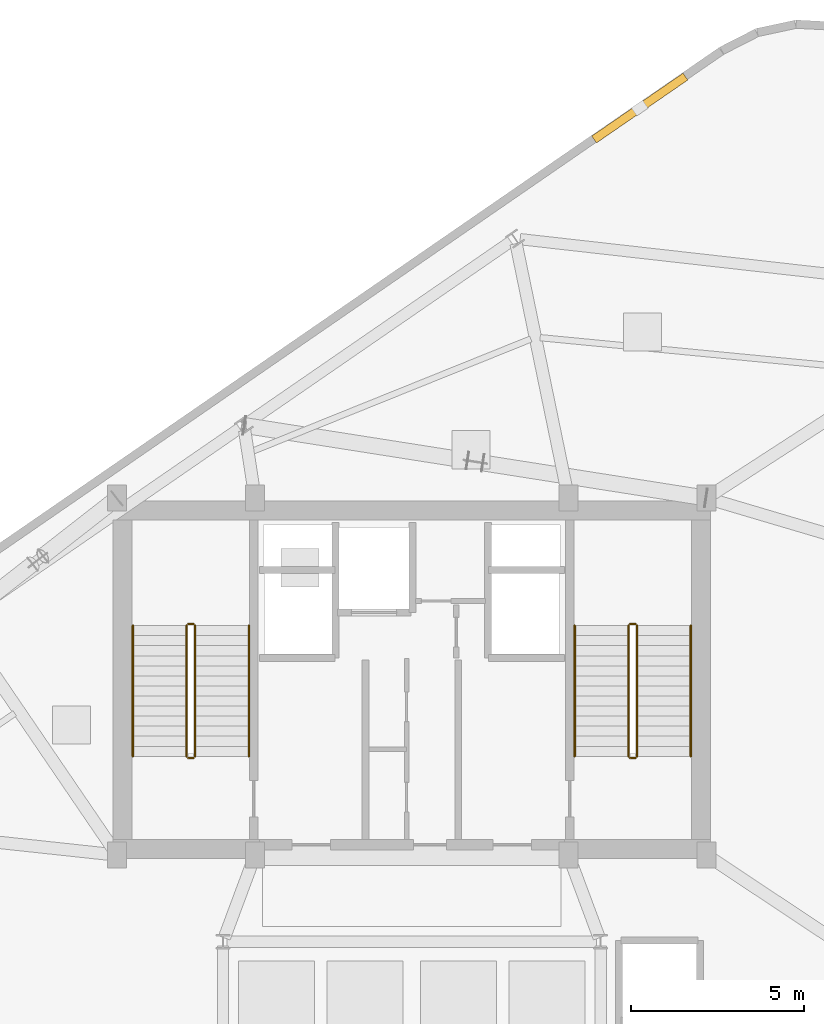
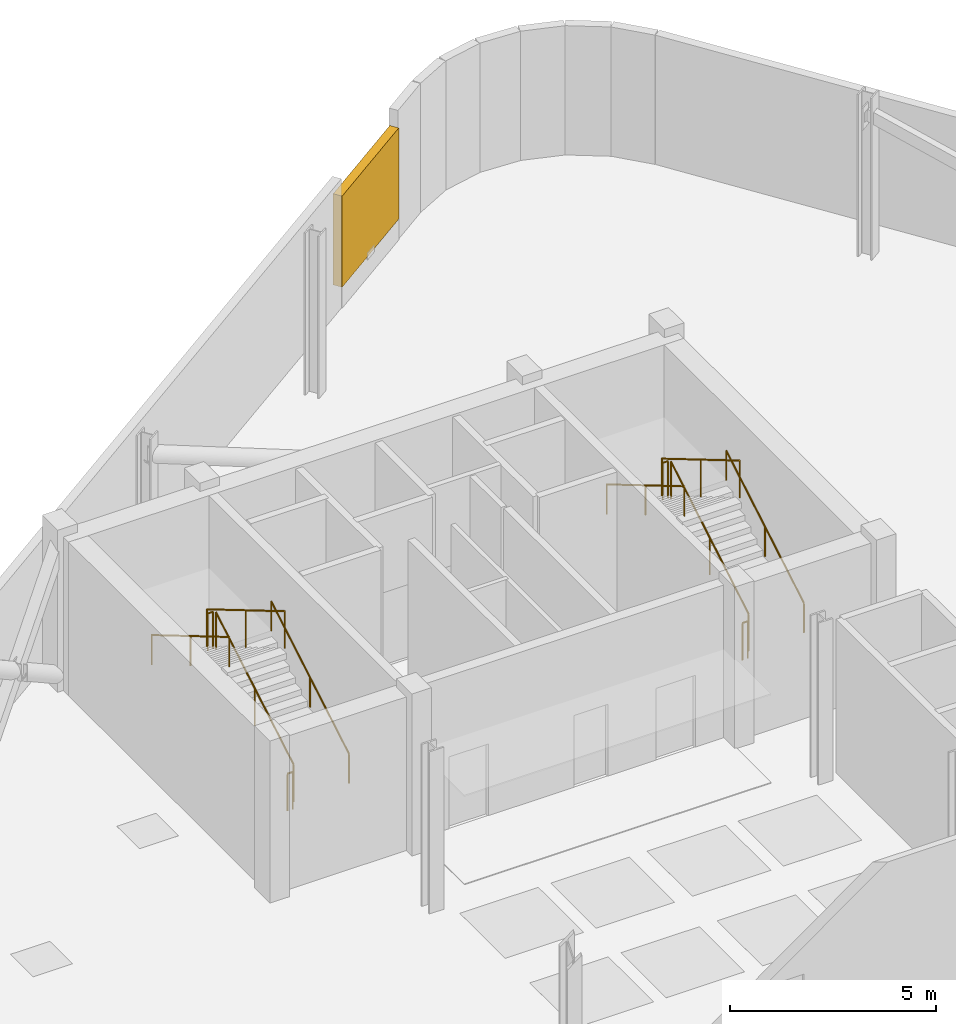
# One storey, part 9 of 9: 12 railings, 1 shading device.
"""IFC4 building model written with IfcOpenShell, lengths in metres."""

from ifc_helpers import new_model, si_unit, direction, frame, origin, origin_2d, place, context, subcontext, project, spatial, rectangle, circle, extrude, source, transform, mapped, material, type_object, element, save


model = new_model("IFC4")

# Units and contexts
model_context = context("Model", 3, precision=1e-05, world=origin(), true_north=direction((0.0, 1.0)))
body_context = subcontext(model_context, "Body", "Model", "MODEL_VIEW")
ifc_project = project(units=[si_unit("LENGTHUNIT", "METRE"), si_unit("AREAUNIT", "SQUARE_METRE"), si_unit("VOLUMEUNIT", "CUBIC_METRE"), si_unit("PLANEANGLEUNIT", "RADIAN"), si_unit("MASSUNIT", "GRAM", prefix="KILO")], contexts=[model_context])

# Site, building, storey
site_placement = place(None, origin())
site = spatial("IfcSite", under=ifc_project, at=site_placement, CompositionType="ELEMENT")
building_placement = place(site_placement, origin())
building = spatial("IfcBuilding", under=site, at=building_placement, Name="Varnelok Gate Tower", CompositionType="ELEMENT")
storey_placement = place(building_placement, frame((0.0, 0.0, 301.10009765625)))
storey = spatial("IfcBuildingStorey", under=building, at=storey_placement, Name="L77", CompositionType="ELEMENT", Elevation=301.10009765625)

# Railings
ifc_material_1 = material(Name="Brushed Stainless Steel AISI 316", Category="steel")
railing_type_1 = type_object("IfcRailingType", Name="RL-HANDRAIL-900", PredefinedType="HANDRAIL", material=ifc_material_1)
railing_1_placement = place(storey_placement, frame((34.5, 31.60009765625, 0.17138671875)))
element("IfcRailing", 1, at=railing_1_placement, inside=storey, type_object=railing_type_1, Name="L77 ST-1 stair handrail 1", PredefinedType="HANDRAIL", context=body_context, shape_type="SweptSolid", body=[
    extrude(circle(Radius=0.02392578125, at=origin_2d()), frame((0.0, 0.0, 0.8759765625), z_axis=(0.0, 0.860848830602, 0.508860777473), x_axis=(-1.0, 0.0, 0.0)), (0.0, 0.0, 1.0), 4.37939453125),
    extrude(circle(Radius=0.02099609375, at=origin_2d()), origin(), (0.0, 0.0, 1.0), 0.851806640625),
    extrude(circle(Radius=0.02099609375, at=origin_2d()), frame((0.0, 1.885009765625, 1.1142578125)), (0.0, 0.0, 1.0), 0.851806640625),
    extrude(circle(Radius=0.02099609375, at=origin_2d()), frame((0.0, 3.77001953125, 2.228515625)), (0.0, 0.0, 1.0), 0.851806640625),
])
railing_2_placement = place(storey_placement, frame((31.14990234375, 35.3701171875, 2.5712890625)))
element("IfcRailing", 2, at=railing_2_placement, inside=storey, type_object=railing_type_1, Name="L77 ST-1 stair handrail 2", PredefinedType="HANDRAIL", context=body_context, shape_type="SweptSolid", body=[
    extrude(circle(Radius=0.02392578125, at=origin_2d()), frame((0.0, 0.0, 0.8759765625), z_axis=(0.0, -0.860848830602, 0.508860777473), x_axis=(1.0, 0.0, 0.0)), (0.0, 0.0, 1.0), 4.37939453125),
    extrude(circle(Radius=0.02099609375, at=origin_2d()), origin(), (0.0, 0.0, 1.0), 0.851806640625),
    extrude(circle(Radius=0.02099609375, at=origin_2d()), frame((0.0, -1.885009765625, 1.1142578125)), (0.0, 0.0, 1.0), 0.851806640625),
    extrude(circle(Radius=0.02099609375, at=origin_2d()), frame((0.0, -3.77001953125, 2.228515625)), (0.0, 0.0, 1.0), 0.851806640625),
])
railing_3_placement = place(storey_placement, frame((47.25, 31.60009765625, 0.17138671875)))
element("IfcRailing", 3, at=railing_3_placement, inside=storey, type_object=railing_type_1, Name="L77 ST-2 stair handrail 1", PredefinedType="HANDRAIL", context=body_context, shape_type="SweptSolid", body=[
    extrude(circle(Radius=0.02392578125, at=origin_2d()), frame((0.0, 0.0, 0.8759765625), z_axis=(0.0, 0.860848830602, 0.508860777473), x_axis=(-1.0, 0.0, 0.0)), (0.0, 0.0, 1.0), 4.37939453125),
    extrude(circle(Radius=0.02099609375, at=origin_2d()), origin(), (0.0, 0.0, 1.0), 0.851806640625),
    extrude(circle(Radius=0.02099609375, at=origin_2d()), frame((0.0, 1.885009765625, 1.1142578125)), (0.0, 0.0, 1.0), 0.851806640625),
    extrude(circle(Radius=0.02099609375, at=origin_2d()), frame((0.0, 3.77001953125, 2.228515625)), (0.0, 0.0, 1.0), 0.851806640625),
])
railing_4_placement = place(storey_placement, frame((43.89990234375, 35.3701171875, 2.5712890625)))
element("IfcRailing", 4, at=railing_4_placement, inside=storey, type_object=railing_type_1, Name="L77 ST-2 stair handrail 2", PredefinedType="HANDRAIL", context=body_context, shape_type="SweptSolid", body=[
    extrude(circle(Radius=0.02392578125, at=origin_2d()), frame((0.0, 0.0, 0.8759765625), z_axis=(0.0, -0.860848830602, 0.508860777473), x_axis=(1.0, 0.0, 0.0)), (0.0, 0.0, 1.0), 4.37939453125),
    extrude(circle(Radius=0.02099609375, at=origin_2d()), origin(), (0.0, 0.0, 1.0), 0.851806640625),
    extrude(circle(Radius=0.02099609375, at=origin_2d()), frame((0.0, -1.885009765625, 1.1142578125)), (0.0, 0.0, 1.0), 0.851806640625),
    extrude(circle(Radius=0.02099609375, at=origin_2d()), frame((0.0, -3.77001953125, 2.228515625)), (0.0, 0.0, 1.0), 0.851806640625),
])
ifc_material_2 = material(Name="Galvanized Steel Grade S350GD", Category="steel")
railing_type_2 = type_object("IfcRailingType", Name="RL-STAIR-GUARD1120", PredefinedType="GUARDRAIL", material=ifc_material_2)
railing_5_placement = place(storey_placement, frame((32.949951171875, 31.60009765625, 0.17138671875)))
element("IfcRailing", 5, at=railing_5_placement, inside=storey, type_object=railing_type_2, Name="L77 ST-1 stair guard 1", PredefinedType="GUARDRAIL", context=body_context, shape_type="SweptSolid", body=[
    extrude(circle(Radius=0.02392578125, at=origin_2d()), frame((0.0, 0.0, 1.09619140625), z_axis=(0.0, 0.860848830602, 0.508860777473), x_axis=(-1.0, 0.0, 0.0)), (0.0, 0.0, 1.0), 4.37939453125),
    extrude(circle(Radius=0.02099609375, at=origin_2d()), origin(), (0.0, 0.0, 1.0), 1.072021484375),
    extrude(circle(Radius=0.02099609375, at=origin_2d()), frame((0.0, 1.885009765625, 1.1142578125)), (0.0, 0.0, 1.0), 1.072021484375),
    extrude(circle(Radius=0.02099609375, at=origin_2d()), frame((0.0, 3.77001953125, 2.228515625)), (0.0, 0.0, 1.0), 1.072021484375),
])
railing_6_placement = place(storey_placement, frame((32.89990234375, 35.419921875, 2.39990234375)))
element("IfcRailing", 6, at=railing_6_placement, inside=storey, type_object=railing_type_2, Name="L77 ST-1 stair guard 2", PredefinedType="GUARDRAIL", context=body_context, shape_type="SweptSolid", body=[
    extrude(circle(Radius=0.02392578125, at=origin_2d()), frame((0.0, 0.0, 1.09619140625), z_axis=(-1.0, 0.0, 0.0), x_axis=(0.0, -1.0, 0.0)), (0.0, 0.0, 1.0), 0.14990234375),
    extrude(circle(Radius=0.02099609375, at=origin_2d()), origin(), (0.0, 0.0, 1.0), 1.072021484375),
    extrude(circle(Radius=0.02099609375, at=origin_2d()), frame((-0.14990234375, 0.0, 0.0)), (0.0, 0.0, 1.0), 1.072021484375),
])
railing_7_placement = place(storey_placement, frame((32.699951171875, 35.3701171875, 2.5712890625)))
element("IfcRailing", 7, at=railing_7_placement, inside=storey, type_object=railing_type_2, Name="L77 ST-1 stair guard 3", PredefinedType="GUARDRAIL", context=body_context, shape_type="SweptSolid", body=[
    extrude(circle(Radius=0.02392578125, at=origin_2d()), frame((0.0, 0.0, 1.09619140625), z_axis=(0.0, -0.860848830602, 0.508860777473), x_axis=(1.0, 0.0, 0.0)), (0.0, 0.0, 1.0), 4.37939453125),
    extrude(circle(Radius=0.02099609375, at=origin_2d()), origin(), (0.0, 0.0, 1.0), 1.072021484375),
    extrude(circle(Radius=0.02099609375, at=origin_2d()), frame((0.0, -1.885009765625, 1.1142578125)), (0.0, 0.0, 1.0), 1.072021484375),
    extrude(circle(Radius=0.02099609375, at=origin_2d()), frame((0.0, -3.77001953125, 2.228515625)), (0.0, 0.0, 1.0), 1.072021484375),
])
railing_8_placement = place(storey_placement, frame((32.89990234375, 31.550048828125, 0.0)))
element("IfcRailing", 8, at=railing_8_placement, inside=storey, type_object=railing_type_2, Name="L77 ST-1 stair guard 4", PredefinedType="GUARDRAIL", context=body_context, shape_type="SweptSolid", body=[
    extrude(circle(Radius=0.02392578125, at=origin_2d()), frame((0.0, 0.0, 1.09619140625), z_axis=(-1.0, 0.0, 0.0), x_axis=(0.0, -1.0, 0.0)), (0.0, 0.0, 1.0), 0.14990234375),
    extrude(circle(Radius=0.02099609375, at=origin_2d()), origin(), (0.0, 0.0, 1.0), 1.072021484375),
    extrude(circle(Radius=0.02099609375, at=origin_2d()), frame((-0.14990234375, 0.0, 0.0)), (0.0, 0.0, 1.0), 1.072021484375),
])
railing_9_placement = place(storey_placement, frame((45.699951171875, 31.60009765625, 0.17138671875)))
element("IfcRailing", 9, at=railing_9_placement, inside=storey, type_object=railing_type_2, Name="L77 ST-2 stair guard 1", PredefinedType="GUARDRAIL", context=body_context, shape_type="SweptSolid", body=[
    extrude(circle(Radius=0.02392578125, at=origin_2d()), frame((0.0, 0.0, 1.09619140625), z_axis=(0.0, 0.860848830602, 0.508860777473), x_axis=(-1.0, 0.0, 0.0)), (0.0, 0.0, 1.0), 4.37939453125),
    extrude(circle(Radius=0.02099609375, at=origin_2d()), origin(), (0.0, 0.0, 1.0), 1.072021484375),
    extrude(circle(Radius=0.02099609375, at=origin_2d()), frame((0.0, 1.885009765625, 1.1142578125)), (0.0, 0.0, 1.0), 1.072021484375),
    extrude(circle(Radius=0.02099609375, at=origin_2d()), frame((0.0, 3.77001953125, 2.228515625)), (0.0, 0.0, 1.0), 1.072021484375),
])
railing_10_placement = place(storey_placement, frame((45.64990234375, 35.419921875, 2.39990234375)))
element("IfcRailing", 10, at=railing_10_placement, inside=storey, type_object=railing_type_2, Name="L77 ST-2 stair guard 2", PredefinedType="GUARDRAIL", context=body_context, shape_type="SweptSolid", body=[
    extrude(circle(Radius=0.02392578125, at=origin_2d()), frame((0.0, 0.0, 1.09619140625), z_axis=(-1.0, 0.0, 0.0), x_axis=(0.0, -1.0, 0.0)), (0.0, 0.0, 1.0), 0.14990234375),
    extrude(circle(Radius=0.02099609375, at=origin_2d()), origin(), (0.0, 0.0, 1.0), 1.072021484375),
    extrude(circle(Radius=0.02099609375, at=origin_2d()), frame((-0.14990234375, 0.0, 0.0)), (0.0, 0.0, 1.0), 1.072021484375),
])
railing_11_placement = place(storey_placement, frame((45.449951171875, 35.3701171875, 2.5712890625)))
element("IfcRailing", 11, at=railing_11_placement, inside=storey, type_object=railing_type_2, Name="L77 ST-2 stair guard 3", PredefinedType="GUARDRAIL", context=body_context, shape_type="SweptSolid", body=[
    extrude(circle(Radius=0.02392578125, at=origin_2d()), frame((0.0, 0.0, 1.09619140625), z_axis=(0.0, -0.860848830602, 0.508860777473), x_axis=(1.0, 0.0, 0.0)), (0.0, 0.0, 1.0), 4.37939453125),
    extrude(circle(Radius=0.02099609375, at=origin_2d()), origin(), (0.0, 0.0, 1.0), 1.072021484375),
    extrude(circle(Radius=0.02099609375, at=origin_2d()), frame((0.0, -1.885009765625, 1.1142578125)), (0.0, 0.0, 1.0), 1.072021484375),
    extrude(circle(Radius=0.02099609375, at=origin_2d()), frame((0.0, -3.77001953125, 2.228515625)), (0.0, 0.0, 1.0), 1.072021484375),
])
railing_12_placement = place(storey_placement, frame((45.64990234375, 31.550048828125, 0.0)))
element("IfcRailing", 12, at=railing_12_placement, inside=storey, type_object=railing_type_2, Name="L77 ST-2 stair guard 4", PredefinedType="GUARDRAIL", context=body_context, shape_type="SweptSolid", body=[
    extrude(circle(Radius=0.02392578125, at=origin_2d()), frame((0.0, 0.0, 1.09619140625), z_axis=(-1.0, 0.0, 0.0), x_axis=(0.0, -1.0, 0.0)), (0.0, 0.0, 1.0), 0.14990234375),
    extrude(circle(Radius=0.02099609375, at=origin_2d()), origin(), (0.0, 0.0, 1.0), 1.072021484375),
    extrude(circle(Radius=0.02099609375, at=origin_2d()), frame((-0.14990234375, 0.0, 0.0)), (0.0, 0.0, 1.0), 1.072021484375),
])

# Shading device
ifc_material_3 = material(Name="Anodized Aluminum Alloy 6063-T6", Category="aluminium")
shading_device_type = type_object("IfcShadingDeviceType", Name="SHD-PLANT-LOUVRE", PredefinedType="JALOUSIE", material=ifc_material_3)
shared_shape = source(origin(), body_context, "Body", "SweptSolid", [
    extrude(rectangle(XDim=3.199951171875, YDim=0.239990234375, at=origin_2d()), origin(), (0.0, 0.0, 1.0), 2.699951171875),
])
shading_device_placement = place(storey_placement, frame((45.777099609375, 50.30322265625, 0.6201171875), z_axis=(0.0, 0.0, 1.0), x_axis=(0.823532597628, 0.567268949127, 0.0)))
element("IfcShadingDevice", 13, at=shading_device_placement, inside=storey, type_object=shading_device_type, Name="L77 Acoustic Plant Louvre Screen N2", PredefinedType="JALOUSIE", context=body_context, shape_type="MappedRepresentation", body=[
    mapped(shared_shape, transform((0.0, 0.0, 0.0), scale=1.0)),
])

save(model, "model.ifc")
